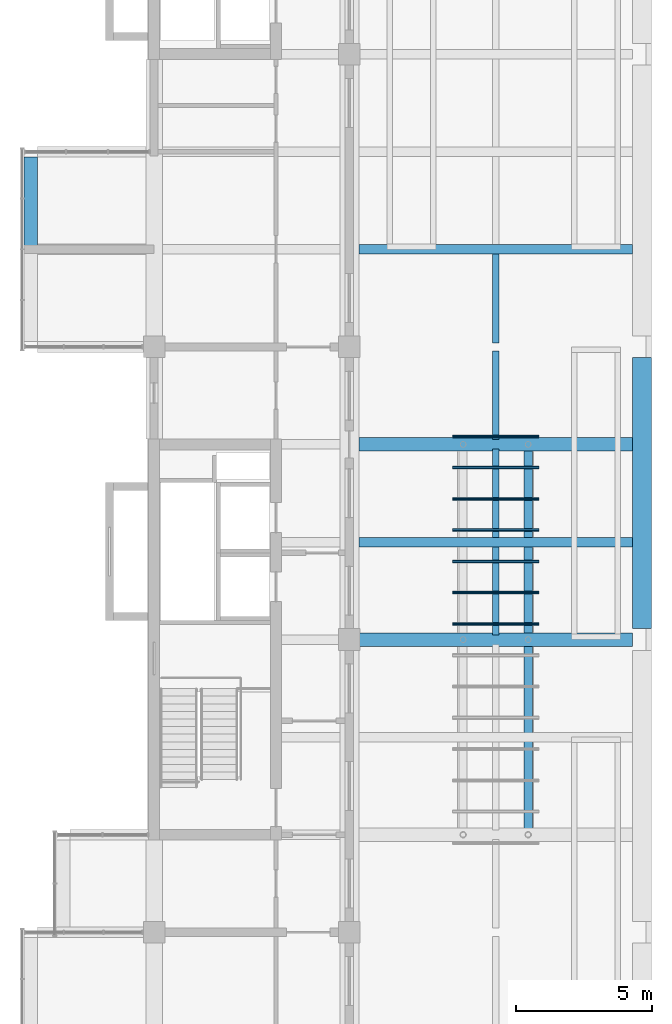
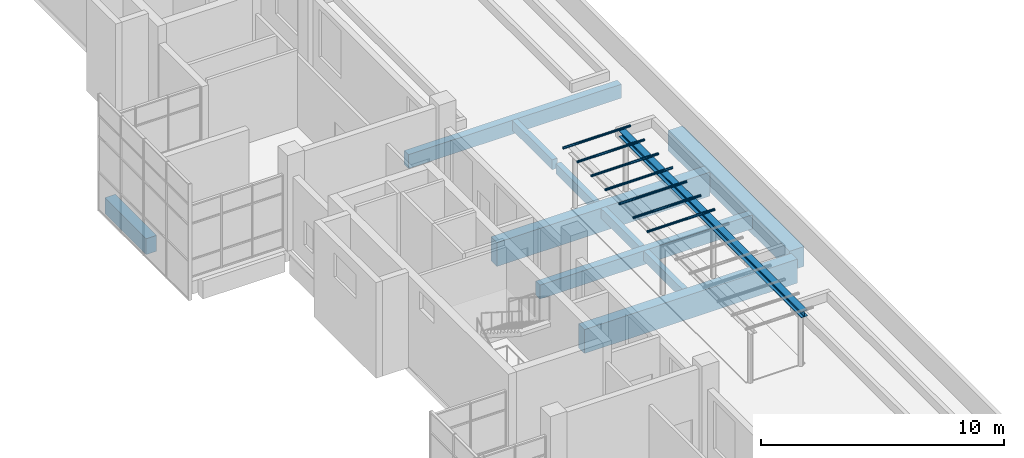
# One storey, part 8 of 16: 11 beams, 7 members.
"""IFC4 building model written with IfcOpenShell, lengths in metres."""

import ifcopenshell
import ifcopenshell.guid

model = None  # the IFC model being written
_history = None  # IfcOwnerHistory: only IFC2X3 demands one
_inside = {}  # id of a spatial element -> (the spatial element, [elements in it])
_under = {}  # id of a project, library or spatial element -> (it, [spatial elements below it])
_declared = {}  # id of a project -> (the project, [libraries it declares])
_typed = {}  # id of a type object -> (the type object, [elements of that type])
_made_of = {}  # id of a material, layer set ... -> (it, [elements and type objects made of it])


def new_model(schema):
    """Start an empty IFC model of exactly this schema.

    Asked for "IFC4X3", IfcOpenShell would pick the latest addendum, in which some entities
    have other attributes; the version numbers below select the first issue.
    IFC2X3 requires an IfcOwnerHistory on every rooted entity: one is made here for all.
    """
    global model, _history
    if schema == "IFC4X3":
        model = ifcopenshell.file(schema_version=(4, 3, 0, 0))
    else:
        model = ifcopenshell.file(schema=schema)
    _inside.clear()
    _under.clear()
    _declared.clear()
    _typed.clear()
    _made_of.clear()
    _history = None
    if model.schema == "IFC2X3":
        org = make("IfcOrganization", Name="unknown")
        user = make(
            "IfcPersonAndOrganization",
            ThePerson=make("IfcPerson", FamilyName="unknown"),
            TheOrganization=org,
        )
        app = make(
            "IfcApplication",
            ApplicationDeveloper=org,
            Version="unknown",
            ApplicationFullName="unknown",
            ApplicationIdentifier="unknown",
        )
        _history = make(
            "IfcOwnerHistory",
            OwningUser=user,
            OwningApplication=app,
            ChangeAction="ADDED",
            CreationDate=0,
        )
    return model


def make(cls, **values):
    """One entity of the class cls with the attributes given. An attribute that is None is left unset."""
    return model.create_entity(
        cls, **{name: value for name, value in values.items() if value is not None}
    )


def rooted(cls, **values):
    """An entity with a GlobalId (a new one), such as an element, a storey or a relation."""
    return make(cls, GlobalId=ifcopenshell.guid.new(), OwnerHistory=_history, **values)


def si_unit(unit_type, name, prefix=None):
    """IfcSIUnit, for example si_unit("LENGTHUNIT", "METRE", prefix="MILLI")."""
    return make("IfcSIUnit", UnitType=unit_type, Prefix=prefix, Name=name)


def assignment(units):
    """IfcUnitAssignment: the units of a project."""
    return None if units is None else make("IfcUnitAssignment", Units=units)


def point(xyz):
    """IfcCartesianPoint."""
    return None if xyz is None else make("IfcCartesianPoint", Coordinates=xyz)


def direction(xyz):
    """IfcDirection."""
    return None if xyz is None else make("IfcDirection", DirectionRatios=xyz)


def frame(location, z_axis=None, x_axis=None):
    """IfcAxis2Placement3D, a coordinate frame: its origin and axes. An axis left out is left unset."""
    return make(
        "IfcAxis2Placement3D",
        Location=point(location),
        Axis=direction(z_axis),
        RefDirection=direction(x_axis),
    )


def frame_2d(location, x_axis=None):
    """IfcAxis2Placement2D, a coordinate frame in the plane: its origin and x axis."""
    return make(
        "IfcAxis2Placement2D", Location=point(location), RefDirection=direction(x_axis)
    )


def origin():
    """The frame at (0, 0, 0) with its axes left unset."""
    return frame((0.0, 0.0, 0.0))


def origin_2d():
    """The frame at (0, 0) in the plane with its x axis left unset."""
    return frame_2d((0.0, 0.0))


def place(relative_to, where):
    """IfcLocalPlacement: puts the frame where relative to a parent placement (None: the world)."""
    return make(
        "IfcLocalPlacement", PlacementRelTo=relative_to, RelativePlacement=where
    )


def context(
    kind, dimensions, precision=None, world=None, true_north=None, identifier=None
):
    """IfcGeometricRepresentationContext, for example the 3D "Model" context."""
    return make(
        "IfcGeometricRepresentationContext",
        ContextIdentifier=identifier,
        ContextType=kind,
        CoordinateSpaceDimension=dimensions,
        Precision=precision,
        WorldCoordinateSystem=world,
        TrueNorth=true_north,
    )


def subcontext(parent, identifier, kind, view, scale=None):
    """IfcGeometricRepresentationSubContext, for example "Body" below "Model"."""
    return make(
        "IfcGeometricRepresentationSubContext",
        ContextIdentifier=identifier,
        ContextType=kind,
        ParentContext=parent,
        TargetScale=scale,
        TargetView=view,
    )


def project(units=None, contexts=None):
    """IfcProject with its units and contexts."""
    return rooted(
        "IfcProject",
        Name="project",
        RepresentationContexts=contexts,
        UnitsInContext=assignment(units),
    )


def spatial(cls, under=None, at=None, **own):
    """A site, building, storey or space (cls), placed at a placement, below another one or the project."""
    s = rooted(cls, ObjectPlacement=at, **own)
    if under is not None:
        _under.setdefault(under.id(), (under, []))[1].append(s)
    return s


def profile(cls, at=None, kind="AREA", **sizes):
    """A parametric profile (cls). Its sizes go by their IFC names, for example OverallWidth=200.0."""
    return make(cls, ProfileType=kind, Position=at, **sizes)


def rectangle(**sizes):
    """IfcRectangleProfileDef."""
    return profile("IfcRectangleProfileDef", **sizes)


def hollow_circle(**sizes):
    """IfcCircleHollowProfileDef."""
    return profile("IfcCircleHollowProfileDef", **sizes)


def i_section(**sizes):
    """IfcIShapeProfileDef."""
    return profile("IfcIShapeProfileDef", **sizes)


def extrude(swept, where, along, depth):
    """IfcExtrudedAreaSolid: the profile swept, set in the frame where, extruded along a direction by depth."""
    return make(
        "IfcExtrudedAreaSolid",
        SweptArea=swept,
        Position=where,
        ExtrudedDirection=direction(along),
        Depth=depth,
    )


def shape(context_of_items, identifier, shape_type, items):
    """IfcShapeRepresentation: the items that make up one representation, for example the "Body"."""
    return make(
        "IfcShapeRepresentation",
        ContextOfItems=context_of_items,
        RepresentationIdentifier=identifier,
        RepresentationType=shape_type,
        Items=items,
    )


def material(Name=None, Category=None):
    """IfcMaterial."""
    return make("IfcMaterial", Name=Name, Category=Category)


def material_profile(
    of_material, cross_section, Name=None, Category=None, Priority=None
):
    """IfcMaterialProfile: a cross section and its material."""
    return make(
        "IfcMaterialProfile",
        Name=Name,
        Material=of_material,
        Profile=cross_section,
        Priority=Priority,
        Category=Category,
    )


def profile_set(profiles, Name=None, composite=None):
    """IfcMaterialProfileSet."""
    return make(
        "IfcMaterialProfileSet",
        Name=Name,
        MaterialProfiles=profiles,
        CompositeProfile=composite,
    )


def made_of(thing, what):
    """Note that an element or type object is made of a material, layer set ...; save() writes the relation."""
    if what is not None:
        _made_of.setdefault(what.id(), (what, []))[1].append(thing)
    return thing


def type_object(cls, material=None, **own):
    """A type object (cls), such as IfcWallType, which elements share."""
    return made_of(rooted(cls, **own), material)


def element(
    cls,
    number,
    at=None,
    inside=None,
    cuts=None,
    type_object=None,
    material=None,
    context=None,
    identifier="Body",
    shape_type=None,
    held_by="IfcProductDefinitionShape",
    body=None,
    shapes=None,
    **own,
):
    """One element of the class cls, such as IfcWall. Its Tag is "e" and its number.

    at: its placement. inside: the storey or other place that contains it. cuts: it is an
    opening in that element (IfcRelVoidsElement). A single representation is given by context,
    identifier, shape_type and body (its items); several are given by shapes. held_by: the class
    of the entity that holds the representations. save() writes the other relations.
    """
    e = rooted(cls, Tag="e%d" % number, ObjectPlacement=at, **own)
    if body is not None:
        shapes = [shape(context, identifier, shape_type, body)]
    if shapes is not None:
        e.Representation = make(held_by, Representations=shapes)
    if inside is not None:
        _inside.setdefault(inside.id(), (inside, []))[1].append(e)
    if cuts is not None:
        rooted(
            "IfcRelVoidsElement", RelatingBuildingElement=cuts, RelatedOpeningElement=e
        )
    if type_object is not None:
        _typed.setdefault(type_object.id(), (type_object, []))[1].append(e)
    return made_of(e, material)


def aggregate(whole, parts):
    """IfcRelAggregates: a whole, such as a stair, and the parts it consists of."""
    return rooted("IfcRelAggregates", RelatingObject=whole, RelatedObjects=parts)


def save(model, path):
    """Write the relations noted so far, then the file.

    IfcRelAggregates (storeys below a building ...), IfcRelContainedInSpatialStructure (elements
    in a storey), IfcRelDefinesByType, IfcRelAssociatesMaterial and IfcRelDeclares: one each for
    every whole, place, type object, material and project.
    """
    for whole, parts in _under.values():
        aggregate(whole, parts)
    for where, things in _inside.values():
        rooted(
            "IfcRelContainedInSpatialStructure",
            RelatedElements=things,
            RelatingStructure=where,
        )
    for kind, things in _typed.values():
        rooted("IfcRelDefinesByType", RelatedObjects=things, RelatingType=kind)
    for what, things in _made_of.values():
        rooted("IfcRelAssociatesMaterial", RelatedObjects=things, RelatingMaterial=what)
    for by, libraries in _declared.values():
        rooted("IfcRelDeclares", RelatingContext=by, RelatedDefinitions=libraries)
    model.write(path)


model = new_model("IFC4")

# Units and contexts
model_context = context("Model", 3, precision=1e-05, world=origin(), true_north=direction((0.0, 1.0)))
body_context = subcontext(model_context, "Body", "Model", "MODEL_VIEW")
ifc_project = project(units=[si_unit("LENGTHUNIT", "METRE"), si_unit("AREAUNIT", "SQUARE_METRE"), si_unit("VOLUMEUNIT", "CUBIC_METRE"), si_unit("PLANEANGLEUNIT", "RADIAN"), si_unit("MASSUNIT", "GRAM", prefix="KILO")], contexts=[model_context])

# Site, building, storey
site_placement = place(None, origin())
site = spatial("IfcSite", under=ifc_project, at=site_placement, CompositionType="ELEMENT")
building_placement = place(site_placement, origin())
building = spatial("IfcBuilding", under=site, at=building_placement, Name="Basin Gate Institute", CompositionType="ELEMENT")
storey_placement = place(building_placement, frame((0.0, 0.0, 65.39990234375)))
storey = spatial("IfcBuildingStorey", under=building, at=storey_placement, Name="L13", CompositionType="ELEMENT", Elevation=65.39990234375)

# Beams
ifc_material_1 = material(Name="Concrete 40 MPa", Category="concrete")
ifc_material_profile_1 = material_profile(ifc_material_1, rectangle(XDim=0.35009765625, YDim=0.699951171875, at=origin_2d()), Name="Beam B1 350 x 700")
ifc_profile_set_1 = profile_set([ifc_material_profile_1], Name="Concrete 40 MPa")
beam_type_1 = type_object("IfcBeamType", Name="Beam B1 R120", PredefinedType="BEAM", material=ifc_profile_set_1)
for number, where, z_axis, x_axis, name in (
    (1, (68.75, 71.10009765625, -0.599853515625), (1.0, 0.0, 0.0), (0.0, 1.0, 0.0), "BEAM/L13/W/EW/11"),
    (2, (68.75, 81.89990234375, -0.599853515625), (1.0, 0.0, 0.0), (0.0, 1.0, 0.0), "BEAM/L13/W/EW/14"),
):
    element("IfcBeam", number, at=place(storey_placement, frame(where, z_axis=z_axis, x_axis=x_axis)), inside=storey, type_object=beam_type_1, material=ifc_profile_set_1, Name=name, PredefinedType="BEAM", context=body_context, shape_type="SweptSolid", body=[
        extrude(rectangle(XDim=0.35009765625, YDim=0.699951171875, at=origin_2d()), origin(), (0.0, 0.0, 1.0), 10.10009765625),
    ])
ifc_material_2 = material(Name="Concrete 40 MPa", Category="concrete")
ifc_material_profile_2 = material_profile(ifc_material_2, rectangle(XDim=0.5, YDim=1.199951171875, at=origin_2d()), Name="Garden transfer beam TB1 500 x 1200")
ifc_profile_set_2 = profile_set([ifc_material_profile_2], Name="Concrete 40 MPa")
beam_type_2 = type_object("IfcBeamType", Name="Garden transfer beam TB1", PredefinedType="BEAM", material=ifc_profile_set_2)
for number, where, z_axis, x_axis, name in (
    (3, (68.75, 67.5, -0.849853515625), (1.0, 0.0, 0.0), (0.0, 1.0, 0.0), "BEAM/L13/W/EW/10"),
    (4, (68.75, 74.699951171875, -0.849853515625), (1.0, 0.0, 0.0), (0.0, 1.0, 0.0), "BEAM/L13/W/EW/12"),
):
    element("IfcBeam", number, at=place(storey_placement, frame(where, z_axis=z_axis, x_axis=x_axis)), inside=storey, type_object=beam_type_2, material=ifc_profile_set_2, Name=name, PredefinedType="BEAM", context=body_context, shape_type="SweptSolid", body=[
        extrude(rectangle(XDim=0.5, YDim=1.199951171875, at=origin_2d()), origin(), (0.0, 0.0, 1.0), 10.10009765625),
    ])
ifc_material_3 = material(Name="Concrete 50 MPa", Category="concrete")
ifc_material_profile_3 = material_profile(ifc_material_3, rectangle(XDim=0.699951171875, YDim=1.0, at=origin_2d()), Name="Girder G1 700 x 1000")
ifc_profile_set_3 = profile_set([ifc_material_profile_3], Name="Concrete 50 MPa")
beam_type_3 = type_object("IfcBeamType", Name="Girder G1 R120", PredefinedType="BEAM", material=ifc_profile_set_3)
beam_1_placement = place(storey_placement, frame((79.199951171875, 67.89990234375, -0.75), z_axis=(0.0, 1.0, 0.0), x_axis=(-1.0, 0.0, 0.0)))
element("IfcBeam", 5, at=beam_1_placement, inside=storey, type_object=beam_type_3, material=ifc_profile_set_3, Name="GIR/L13/W6/4", PredefinedType="BEAM", context=body_context, shape_type="SweptSolid", body=[
    extrude(rectangle(XDim=0.699951171875, YDim=1.0, at=origin_2d()), origin(), (0.0, 0.0, 1.0), 10.0),
])
ifc_material_4 = material(Name="Structural steel SN490", Category="steel")
ifc_material_profile_4 = material_profile(ifc_material_4, i_section(OverallWidth=0.300048828125, OverallDepth=0.300048828125, WebThickness=0.010009765625, FlangeThickness=0.014892578125, FilletRadius=0.01806640625, at=origin_2d()), Name="H300x300")
ifc_profile_set_4 = profile_set([ifc_material_profile_4], Name="Structural steel SN490")
beam_type_4 = type_object("IfcBeamType", Name="Pergola beam TC2", PredefinedType="BEAM", material=ifc_profile_set_4)
beam_2_placement = place(storey_placement, frame((75.0, 60.0, 2.75), z_axis=(0.0, 1.0, 0.0), x_axis=(-1.0, 0.0, 0.0)))
element("IfcBeam", 6, at=beam_2_placement, inside=storey, type_object=beam_type_4, material=ifc_profile_set_4, Name="Pergola beam TC2 W2", PredefinedType="BEAM", context=body_context, shape_type="SweptSolid", body=[
    extrude(i_section(OverallWidth=0.300048828125, OverallDepth=0.300048828125, WebThickness=0.010009765625, FlangeThickness=0.014892578125, FilletRadius=0.01806640625, at=origin_2d()), origin(), (0.0, 0.0, 1.0), 15.0),
])

# Members
ifc_material_5 = material(Name="Structural steel SN490", Category="steel")
ifc_material_profile_5 = material_profile(ifc_material_5, hollow_circle(Radius=0.05712890625, WallThickness=0.0048828125, at=origin_2d()), Name="CHS114x5")
ifc_profile_set_5 = profile_set([ifc_material_profile_5], Name="Structural steel SN490")
member_type = type_object("IfcMemberType", Name="Pergola rafter TD5", PredefinedType="RAFTER", material=ifc_profile_set_5)
for number, where, z_axis, x_axis, name in (
    (7, (72.199951171875, 68.076904296875, 2.955322265625), (1.0, 0.0, 0.0), (0.0, 1.0, 0.0), "Pergola rafter TD5 W8"),
    (8, (72.199951171875, 69.230712890625, 2.955322265625), (1.0, 0.0, 0.0), (0.0, 1.0, 0.0), "Pergola rafter TD5 W9"),
    (9, (72.199951171875, 70.384521484375, 2.955322265625), (1.0, 0.0, 0.0), (0.0, 1.0, 0.0), "Pergola rafter TD5 W10"),
    (10, (72.199951171875, 71.53857421875, 2.955322265625), (1.0, 0.0, 0.0), (0.0, 1.0, 0.0), "Pergola rafter TD5 W11"),
    (11, (72.199951171875, 72.6923828125, 2.955322265625), (1.0, 0.0, 0.0), (0.0, 1.0, 0.0), "Pergola rafter TD5 W12"),
    (12, (72.199951171875, 73.84619140625, 2.955322265625), (1.0, 0.0, 0.0), (0.0, 1.0, 0.0), "Pergola rafter TD5 W13"),
    (13, (72.199951171875, 75.0, 2.955322265625), (1.0, 0.0, 0.0), (0.0, 1.0, 0.0), "Pergola rafter TD5 W14"),
):
    element("IfcMember", number, at=place(storey_placement, frame(where, z_axis=z_axis, x_axis=x_axis)), inside=storey, type_object=member_type, material=ifc_profile_set_5, Name=name, PredefinedType="RAFTER", context=body_context, shape_type="SweptSolid", body=[
        extrude(hollow_circle(Radius=0.05712890625, WallThickness=0.0048828125, at=origin_2d()), origin(), (0.0, 0.0, 1.0), 3.199951171875),
    ])

# Beams
ifc_material_6 = material(Name="Concrete 40 MPa", Category="concrete")
ifc_material_profile_6 = material_profile(ifc_material_6, rectangle(XDim=0.25, YDim=0.5, at=origin_2d()), Name="Rib R1 250 x 500")
ifc_profile_set_6 = profile_set([ifc_material_profile_6], Name="Concrete 40 MPa")
beam_type_5 = type_object("IfcBeamType", Name="Rib R1 R120", PredefinedType="JOIST", material=ifc_profile_set_6)
for number, where, z_axis, x_axis, name in (
    (14, (73.800048828125, 67.675048828125, -0.5), (0.0, 1.0, 0.0), (-1.0, 0.0, 0.0), "BEAM/L13/W/RIB/10"),
    (15, (73.800048828125, 71.27490234375, -0.5), (0.0, 1.0, 0.0), (-1.0, 0.0, 0.0), "BEAM/L13/W/RIB/11"),
):
    element("IfcBeam", number, at=place(storey_placement, frame(where, z_axis=z_axis, x_axis=x_axis)), inside=storey, type_object=beam_type_5, material=ifc_profile_set_6, Name=name, PredefinedType="JOIST", context=body_context, shape_type="SweptSolid", body=[
        extrude(rectangle(XDim=0.25, YDim=0.5, at=origin_2d()), origin(), (0.0, 0.0, 1.0), 3.25),
    ])
beam_3_placement = place(storey_placement, frame((73.800048828125, 74.875, -0.5), z_axis=(0.0, 1.0, 0.0), x_axis=(-1.0, 0.0, 0.0)))
element("IfcBeam", 16, at=beam_3_placement, inside=storey, type_object=beam_type_5, material=ifc_profile_set_6, Name="BEAM/L13/W/RIB/12", PredefinedType="JOIST", context=body_context, shape_type="SweptSolid", body=[
    extrude(rectangle(XDim=0.25, YDim=0.5, at=origin_2d()), origin(), (0.0, 0.0, 1.0), 3.27490234375),
])
beam_4_placement = place(storey_placement, frame((73.800048828125, 78.449951171875, -0.5), z_axis=(0.0, 1.0, 0.0), x_axis=(-1.0, 0.0, 0.0)))
element("IfcBeam", 17, at=beam_4_placement, inside=storey, type_object=beam_type_5, material=ifc_profile_set_6, Name="BEAM/L13/W/RIB/13", PredefinedType="JOIST", context=body_context, shape_type="SweptSolid", body=[
    extrude(rectangle(XDim=0.25, YDim=0.5, at=origin_2d()), origin(), (0.0, 0.0, 1.0), 3.275146484375),
])
ifc_material_7 = material(Name="Concrete 50 MPa", Category="concrete")
ifc_material_profile_7 = material_profile(ifc_material_7, rectangle(XDim=0.5, YDim=0.800048828125, at=origin_2d()), Name="Tip beam TB1 500 x 800")
ifc_profile_set_7 = profile_set([ifc_material_profile_7], Name="Concrete 50 MPa")
beam_type_6 = type_object("IfcBeamType", Name="Tip beam TB1 R120", PredefinedType="SPANDREL", material=ifc_profile_set_7)
beam_5_placement = place(storey_placement, frame((56.64990234375, 81.89990234375, -0.64990234375), z_axis=(0.0, 1.0, 0.0), x_axis=(-1.0, 0.0, 0.0)))
element("IfcBeam", 18, at=beam_5_placement, inside=storey, type_object=beam_type_6, material=ifc_profile_set_7, Name="BEAM/L13/W/TIP/7", PredefinedType="SPANDREL", context=body_context, shape_type="SweptSolid", body=[
    extrude(rectangle(XDim=0.5, YDim=0.800048828125, at=origin_2d()), origin(), (0.0, 0.0, 1.0), 3.400146484375),
])

save(model, "model.ifc")
